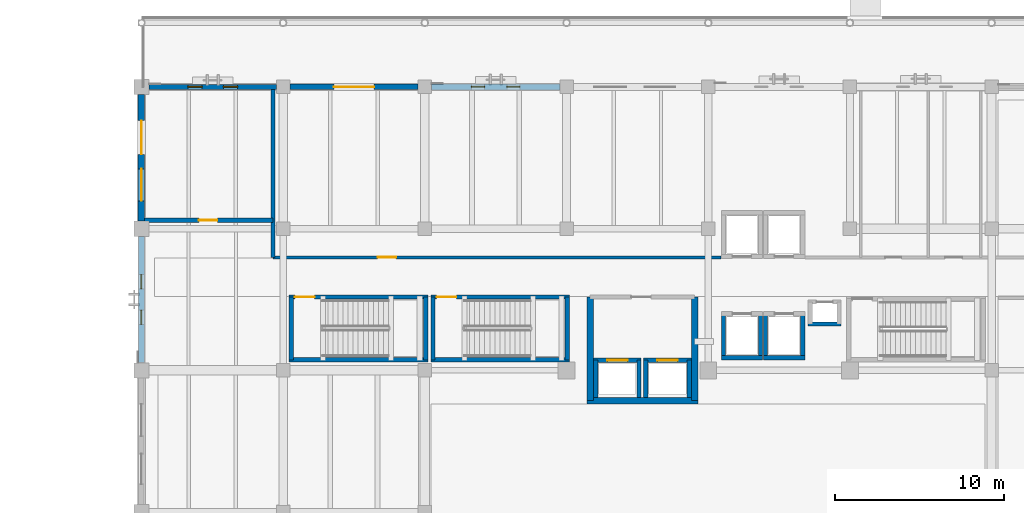
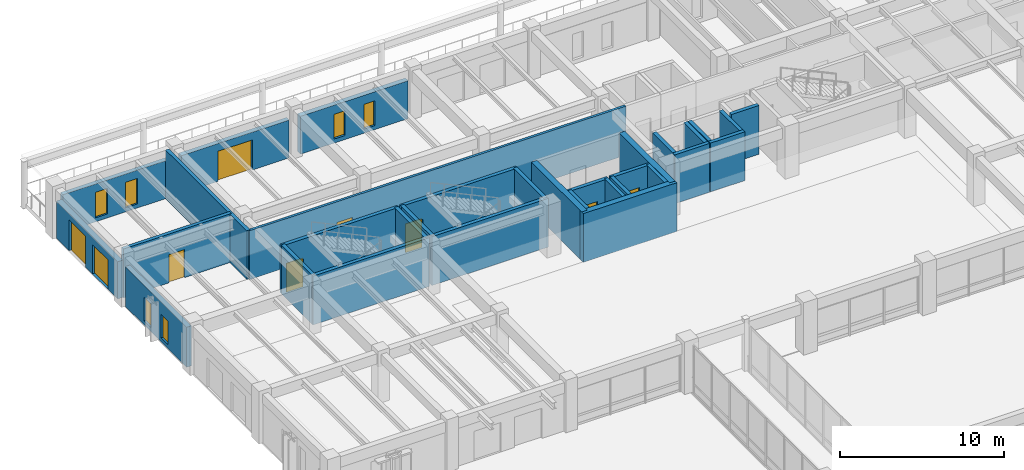
# One storey, part 90 of 135: 32 walls, 9 doors, 6 windows, 15 openings.
"""IFC4 building model written with IfcOpenShell, lengths in metres."""

from ifc_helpers import new_model, si_unit, direction, frame, frame_2d, origin, place, context, subcontext, project, spatial, rectangle, extrude, material, layer, layer_set, type_object, element, fill, save


model = new_model("IFC4")

# Units and contexts
model_context = context("Model", 3, precision=1e-05, world=origin(), true_north=direction((0.0, 1.0)))
body_context = subcontext(model_context, "Body", "Model", "MODEL_VIEW")
ifc_project = project(units=[si_unit("LENGTHUNIT", "METRE"), si_unit("AREAUNIT", "SQUARE_METRE"), si_unit("VOLUMEUNIT", "CUBIC_METRE"), si_unit("PLANEANGLEUNIT", "RADIAN"), si_unit("MASSUNIT", "GRAM", prefix="KILO")], contexts=[model_context])

# Site, building, storey
site_placement = place(None, origin())
site = spatial("IfcSite", under=ifc_project, at=site_placement, CompositionType="ELEMENT")
building_placement = place(site_placement, origin())
building = spatial("IfcBuilding", under=site, at=building_placement, Name="Cumbredor Promenade Congress Hotel", CompositionType="ELEMENT")
storey_placement = place(building_placement, origin())
storey = spatial("IfcBuildingStorey", under=building, at=storey_placement, Name="L00", CompositionType="ELEMENT", Elevation=0.0)

# Walls
ifc_material_1 = material(Name="Concrete C50/60", Category="concrete")
ifc_layer_1 = layer(ifc_material_1, 0.39990234375, Name="Concrete C50/60", Category="concrete")
ifc_layer_set_1 = layer_set([ifc_layer_1], Name="Concrete C50/60")
wall_type_1 = type_object("IfcWallType", Name="Seismic Shear Core Wall 400mm", PredefinedType="SHEAR", material=ifc_layer_set_1)
wall_1_placement = place(storey_placement, frame((26.60009765625, 99.0, 0.0), z_axis=(0.0, 0.0, 1.0), x_axis=(0.0, 1.0, 0.0)))
element("IfcWall", 1, at=wall_1_placement, inside=storey, type_object=wall_type_1, Name="L00 Hotel Core Shear Wall W1", PredefinedType="SHEAR", context=body_context, shape_type="SweptSolid", body=[
    extrude(rectangle(XDim=6.14990234375, YDim=0.39990234375, at=frame_2d((3.074951171875, 0.0))), origin(), (0.0, 0.0, 1.0), 3.639892578125),
])
wall_2_placement = place(storey_placement, frame((26.39990234375, 99.0, 0.0), z_axis=(0.0, 0.0, 1.0), x_axis=(1.0, 0.0, 0.0)))
element("IfcWall", 2, at=wall_2_placement, inside=storey, type_object=wall_type_1, Name="L00 Hotel Core Shear Wall S1", PredefinedType="SHEAR", context=body_context, shape_type="SweptSolid", body=[
    extrude(rectangle(XDim=6.60009765625, YDim=0.39990234375, at=frame_2d((3.300048828125, 0.0))), origin(), (0.0, 0.0, 1.0), 3.639892578125),
])
wall_3_placement = place(storey_placement, frame((32.800048828125, 99.0, 0.0), z_axis=(0.0, 0.0, 1.0), x_axis=(0.0, 1.0, 0.0)))
element("IfcWall", 3, at=wall_3_placement, inside=storey, type_object=wall_type_1, Name="L00 Hotel Core Shear Wall E1", PredefinedType="SHEAR", context=body_context, shape_type="SweptSolid", body=[
    extrude(rectangle(XDim=6.14990234375, YDim=0.39990234375, at=frame_2d((3.074951171875, 0.0))), origin(), (0.0, 0.0, 1.0), 3.639892578125),
])

# Wall, opening, door
ifc_material_2 = material(Name="Fire-rated hotel corridor wall")
ifc_layer_2 = layer(ifc_material_2, 0.179931640625, Name="Fire-rated hotel corridor wall")
ifc_layer_set_2 = layer_set([ifc_layer_2], Name="Fire-rated hotel corridor wall")
wall_type_2 = type_object("IfcWallType", Name="WL-CORR-180", PredefinedType="PARTITIONING", material=ifc_layer_set_2)
wall_4_placement = place(storey_placement, frame((7.800048828125, 107.5, 0.0), z_axis=(0.0, 0.0, 1.0), x_axis=(1.0, 0.0, 0.0)))
wall_4 = element("IfcWall", 4, at=wall_4_placement, inside=storey, type_object=wall_type_2, Name="L00 Interior Partition W-L00-V5-NA", PredefinedType="PARTITIONING", context=body_context, shape_type="SweptSolid", body=[
    extrude(rectangle(XDim=26.570068359375, YDim=0.179931640625, at=frame_2d((13.28515625, 0.0))), origin(), (0.0, 0.0, 1.0), 3.639892578125),
])
opening_1_placement = place(wall_4_placement, frame((6.199951171875, 0.0, 0.0)))
opening_1 = element("IfcOpeningElement", 5, at=opening_1_placement, cuts=wall_4, Name="Opening FD-04", PredefinedType="OPENING", context=body_context, shape_type="SweptSolid", body=[
    extrude(rectangle(XDim=1.10009765625, YDim=2.10009765625, at=frame_2d((0.550048828125, 1.050048828125))), frame((0.0, 0.10009765625, 0.0), z_axis=(0.0, -1.0, 0.0), x_axis=(1.0, 0.0, 0.0)), (0.0, 0.0, 1.0), 0.199951171875),
])
ifc_material_3 = material(Name="Painted galvanized steel fire door", Category="steel")
door_type_1 = type_object("IfcDoorType", Name="DR-SGL-FD60-1100", OperationType="NOTDEFINED", PredefinedType="DOOR", material=ifc_material_3)
door_1_placement = place(opening_1_placement, origin())
door_1 = element("IfcDoor", 6, at=door_1_placement, inside=storey, type_object=door_type_1, Name="L00 Interior Door W-L00-V5-NA-01", OperationType="SINGLE_SWING_RIGHT", OverallHeight=2.10009765625, OverallWidth=1.10009765625, PredefinedType="DOOR", context=body_context, shape_type="SweptSolid", body=[
    extrude(rectangle(XDim=1.10009765625, YDim=2.10009765625, at=frame_2d((0.550048828125, 1.050048828125))), frame((0.0, 0.02490234375, 0.0), z_axis=(0.0, -1.0, 0.0), x_axis=(1.0, 0.0, 0.0)), (0.0, 0.0, 1.0), 0.050048828125),
])
fill(opening_1, door_1)

# Wall, openings, windows
ifc_material_4 = material(Name="Concrete C40/50", Category="concrete")
ifc_layer_3 = layer(ifc_material_4, 0.300048828125, Name="Concrete C40/50", Category="concrete")
ifc_layer_set_3 = layer_set([ifc_layer_3], Name="Concrete C40/50")
wall_type_3 = type_object("IfcWallType", Name="WL-EXT-300", PredefinedType="SOLIDWALL", material=ifc_layer_set_3)
wall_5_placement = place(storey_placement, frame((0.450927734375, 117.60009765625, 0.0), z_axis=(0.0, 0.0, 1.0), x_axis=(1.0, 0.0, 0.0)))
wall_5 = element("IfcWall", 7, at=wall_5_placement, inside=storey, type_object=wall_type_3, Name="L00 Stepped Congress Hotel Wing North Envelope Wall 1", PredefinedType="SOLIDWALL", context=body_context, shape_type="SweptSolid", body=[
    extrude(rectangle(XDim=7.548095703125, YDim=0.300048828125, at=frame_2d((3.77392578125, 0.0))), origin(), (0.0, 0.0, 1.0), 2.824951171875),
])
opening_2_placement = place(wall_5_placement, frame((2.299072265625, 0.0, 0.300048828125)))
opening_2 = element("IfcOpeningElement", 8, at=opening_2_placement, cuts=wall_5, Name="Opening WN-67", PredefinedType="OPENING", context=body_context, shape_type="SweptSolid", body=[
    extrude(rectangle(XDim=0.85009765625, YDim=1.89990234375, at=frame_2d((0.425048828125, 0.949951171875))), frame((0.0, 0.16015625, 0.0), z_axis=(0.0, -1.0, 0.0), x_axis=(1.0, 0.0, 0.0)), (0.0, 0.0, 1.0), 0.320068359375),
])
opening_3_placement = place(wall_5_placement, frame((4.39892578125, 0.0, 0.300048828125)))
opening_3 = element("IfcOpeningElement", 9, at=opening_3_placement, cuts=wall_5, Name="Opening WN-67", PredefinedType="OPENING", context=body_context, shape_type="SweptSolid", body=[
    extrude(rectangle(XDim=0.85009765625, YDim=1.89990234375, at=frame_2d((0.425048828125, 0.949951171875))), frame((0.0, 0.16015625, 0.0), z_axis=(0.0, -1.0, 0.0), x_axis=(1.0, 0.0, 0.0)), (0.0, 0.0, 1.0), 0.320068359375),
])
ifc_material_5 = material(Name="Thermally broken anodized aluminium and low-E glass", Category="aluminium")
window_type_1 = type_object("IfcWindowType", Name="Vertical Slot Window WN-67 850x1900", PartitioningType="SINGLE_PANEL", PredefinedType="WINDOW", material=ifc_material_5)
window_1_placement = place(opening_2_placement, origin())
window_1 = element("IfcWindow", 10, at=window_1_placement, inside=storey, type_object=window_type_1, Name="L00 Vertical Slot Window 0073", OverallHeight=1.89990234375, OverallWidth=0.85009765625, PartitioningType="SINGLE_PANEL", PredefinedType="WINDOW", context=body_context, shape_type="SweptSolid", body=[
    extrude(rectangle(XDim=0.85009765625, YDim=1.89990234375, at=frame_2d((0.425048828125, 0.949951171875))), frame((0.0, 0.030029296875, 0.0), z_axis=(0.0, -1.0, 0.0), x_axis=(1.0, 0.0, 0.0)), (0.0, 0.0, 1.0), 0.06005859375),
])
fill(opening_2, window_1)
window_2_placement = place(opening_3_placement, origin())
window_2 = element("IfcWindow", 11, at=window_2_placement, inside=storey, type_object=window_type_1, Name="L00 Vertical Slot Window 0074", OverallHeight=1.89990234375, OverallWidth=0.85009765625, PartitioningType="SINGLE_PANEL", PredefinedType="WINDOW", context=body_context, shape_type="SweptSolid", body=[
    extrude(rectangle(XDim=0.85009765625, YDim=1.89990234375, at=frame_2d((0.425048828125, 0.949951171875))), frame((0.0, 0.030029296875, 0.0), z_axis=(0.0, -1.0, 0.0), x_axis=(1.0, 0.0, 0.0)), (0.0, 0.0, 1.0), 0.06005859375),
])
fill(opening_3, window_2)

# Wall, opening, door
ifc_layer_4 = layer(ifc_material_4, 0.324951171875, Name="Concrete C40/50", Category="concrete")
ifc_layer_set_4 = layer_set([ifc_layer_4], Name="Concrete C40/50")
wall_type_4 = type_object("IfcWallType", Name="WL-EXT-325", PredefinedType="SOLIDWALL", material=ifc_layer_set_4)
wall_6_placement = place(storey_placement, frame((8.801025390625, 117.60009765625, 0.0), z_axis=(0.0, 0.0, 1.0), x_axis=(1.0, 0.0, 0.0)))
wall_6 = element("IfcWall", 12, at=wall_6_placement, inside=storey, type_object=wall_type_4, Name="L00 Stepped Congress Hotel Wing North Envelope Wall 2", PredefinedType="SOLIDWALL", context=body_context, shape_type="SweptSolid", body=[
    extrude(rectangle(XDim=7.597900390625, YDim=0.324951171875, at=frame_2d((3.798828125, 0.0))), origin(), (0.0, 0.0, 1.0), 2.824951171875),
])
opening_4_placement = place(wall_6_placement, frame((2.59912109375, 0.0, 0.0)))
opening_4 = element("IfcOpeningElement", 13, at=opening_4_placement, cuts=wall_6, Name="Opening VG-05", PredefinedType="OPENING", context=body_context, shape_type="SweptSolid", body=[
    extrude(rectangle(XDim=2.39990234375, YDim=2.25, at=frame_2d((1.199951171875, 1.125))), frame((0.0, 0.17236328125, 0.0), z_axis=(0.0, -1.0, 0.0), x_axis=(1.0, 0.0, 0.0)), (0.0, 0.0, 1.0), 0.344970703125),
])
ifc_material_6 = material(Name="Thermally broken anodized aluminium and laminated safety glass", Category="aluminium")
door_type_2 = type_object("IfcDoorType", Name="Garden Maintenance Gate VG-05 2400x2250", OperationType="DOUBLE_DOOR_SINGLE_SWING", PredefinedType="GATE", material=ifc_material_6)
door_2_placement = place(opening_4_placement, origin())
door_2 = element("IfcDoor", 14, at=door_2_placement, inside=storey, type_object=door_type_2, Name="L00 Stepped Congress Hotel Wing North Final Exit Door 26", OperationType="DOUBLE_DOOR_SINGLE_SWING", OverallHeight=2.25, OverallWidth=2.39990234375, PredefinedType="GATE", context=body_context, shape_type="SweptSolid", body=[
    extrude(rectangle(XDim=2.39990234375, YDim=2.25, at=frame_2d((1.199951171875, 1.125))), frame((0.0, 0.02490234375, 0.0), z_axis=(0.0, -1.0, 0.0), x_axis=(1.0, 0.0, 0.0)), (0.0, 0.0, 1.0), 0.050048828125),
])
fill(opening_4, door_2)

# Wall, openings, windows
ifc_layer_5 = layer(ifc_material_4, 0.35009765625, Name="Concrete C40/50", Category="concrete")
ifc_layer_set_5 = layer_set([ifc_layer_5], Name="Concrete C40/50")
wall_type_5 = type_object("IfcWallType", Name="WL-EXT-350", PredefinedType="SOLIDWALL", material=ifc_layer_set_5)
wall_7_placement = place(storey_placement, frame((17.200927734375, 117.60009765625, 0.0), z_axis=(0.0, 0.0, 1.0), x_axis=(1.0, 0.0, 0.0)))
wall_7 = element("IfcWall", 15, at=wall_7_placement, inside=storey, type_object=wall_type_5, Name="L00 Stepped Congress Hotel Wing North Envelope Wall 3", PredefinedType="SOLIDWALL", context=body_context, shape_type="SweptSolid", body=[
    extrude(rectangle(XDim=7.59814453125, YDim=0.35009765625, at=frame_2d((3.799072265625, 0.0))), origin(), (0.0, 0.0, 1.0), 2.824951171875),
])
opening_5_placement = place(wall_7_placement, frame((2.35888671875, 0.0, 0.300048828125)))
opening_5 = element("IfcOpeningElement", 16, at=opening_5_placement, cuts=wall_7, Name="Opening WN-46", PredefinedType="OPENING", context=body_context, shape_type="SweptSolid", body=[
    extrude(rectangle(XDim=0.780029296875, YDim=1.85009765625, at=frame_2d((0.39013671875, 0.925048828125))), frame((0.0, 0.18505859375, 0.0), z_axis=(0.0, -1.0, 0.0), x_axis=(1.0, 0.0, 0.0)), (0.0, 0.0, 1.0), 0.3701171875),
])
opening_6_placement = place(wall_7_placement, frame((4.458984375, 0.0, 0.300048828125)))
opening_6 = element("IfcOpeningElement", 17, at=opening_6_placement, cuts=wall_7, Name="Opening WN-46", PredefinedType="OPENING", context=body_context, shape_type="SweptSolid", body=[
    extrude(rectangle(XDim=0.780029296875, YDim=1.85009765625, at=frame_2d((0.39013671875, 0.925048828125))), frame((0.0, 0.18505859375, 0.0), z_axis=(0.0, -1.0, 0.0), x_axis=(1.0, 0.0, 0.0)), (0.0, 0.0, 1.0), 0.3701171875),
])
window_type_2 = type_object("IfcWindowType", Name="Vertical Slot Window WN-46 780x1850", PartitioningType="SINGLE_PANEL", PredefinedType="WINDOW", material=ifc_material_5)
window_3_placement = place(opening_5_placement, origin())
window_3 = element("IfcWindow", 18, at=window_3_placement, inside=storey, type_object=window_type_2, Name="L00 Vertical Slot Window 0075", OverallHeight=1.85009765625, OverallWidth=0.780029296875, PartitioningType="SINGLE_PANEL", PredefinedType="WINDOW", context=body_context, shape_type="SweptSolid", body=[
    extrude(rectangle(XDim=0.780029296875, YDim=1.85009765625, at=frame_2d((0.39013671875, 0.925048828125))), frame((0.0, 0.030029296875, 0.0), z_axis=(0.0, -1.0, 0.0), x_axis=(1.0, 0.0, 0.0)), (0.0, 0.0, 1.0), 0.06005859375),
])
fill(opening_5, window_3)
window_4_placement = place(opening_6_placement, origin())
window_4 = element("IfcWindow", 19, at=window_4_placement, inside=storey, type_object=window_type_2, Name="L00 Vertical Slot Window 0076", OverallHeight=1.85009765625, OverallWidth=0.780029296875, PartitioningType="SINGLE_PANEL", PredefinedType="WINDOW", context=body_context, shape_type="SweptSolid", body=[
    extrude(rectangle(XDim=0.780029296875, YDim=1.85009765625, at=frame_2d((0.39013671875, 0.925048828125))), frame((0.0, 0.030029296875, 0.0), z_axis=(0.0, -1.0, 0.0), x_axis=(1.0, 0.0, 0.0)), (0.0, 0.0, 1.0), 0.06005859375),
])
fill(opening_6, window_4)

wall_8_placement = place(storey_placement, frame((0.0, 101.2509765625, 0.0), z_axis=(0.0, 0.0, 1.0), x_axis=(0.0, 1.0, 0.0)))
wall_8 = element("IfcWall", 20, at=wall_8_placement, inside=storey, type_object=wall_type_5, Name="L00 Stepped Congress Hotel Wing West Envelope Wall 3", PredefinedType="SOLIDWALL", context=body_context, shape_type="SweptSolid", body=[
    extrude(rectangle(XDim=7.498046875, YDim=0.35009765625, at=frame_2d((3.7490234375, 0.0))), origin(), (0.0, 0.0, 1.0), 2.97509765625),
])
opening_7_placement = place(wall_8_placement, frame((2.279052734375, 0.0, 0.300048828125)))
opening_7 = element("IfcOpeningElement", 21, at=opening_7_placement, cuts=wall_8, Name="Opening WN-62", PredefinedType="OPENING", context=body_context, shape_type="SweptSolid", body=[
    extrude(rectangle(XDim=0.840087890625, YDim=1.75, at=frame_2d((0.419921875, 0.875))), frame((0.0, 0.18505859375, 0.0), z_axis=(0.0, -1.0, 0.0), x_axis=(1.0, 0.0, 0.0)), (0.0, 0.0, 1.0), 0.3701171875),
])
opening_8_placement = place(wall_8_placement, frame((4.37890625, 0.0, 0.300048828125)))
opening_8 = element("IfcOpeningElement", 22, at=opening_8_placement, cuts=wall_8, Name="Opening WN-62", PredefinedType="OPENING", context=body_context, shape_type="SweptSolid", body=[
    extrude(rectangle(XDim=0.840087890625, YDim=1.75, at=frame_2d((0.419921875, 0.875))), frame((0.0, 0.18505859375, 0.0), z_axis=(0.0, -1.0, 0.0), x_axis=(1.0, 0.0, 0.0)), (0.0, 0.0, 1.0), 0.3701171875),
])
window_type_3 = type_object("IfcWindowType", Name="Vertical Slot Window WN-62 840x1750", PartitioningType="SINGLE_PANEL", PredefinedType="WINDOW", material=ifc_material_5)
window_5_placement = place(opening_7_placement, origin())
window_5 = element("IfcWindow", 23, at=window_5_placement, inside=storey, type_object=window_type_3, Name="L00 Vertical Slot Window 0091", OverallHeight=1.75, OverallWidth=0.840087890625, PartitioningType="SINGLE_PANEL", PredefinedType="WINDOW", context=body_context, shape_type="SweptSolid", body=[
    extrude(rectangle(XDim=0.840087890625, YDim=1.75, at=frame_2d((0.419921875, 0.875))), frame((0.0, 0.030029296875, 0.0), z_axis=(0.0, -1.0, 0.0), x_axis=(1.0, 0.0, 0.0)), (0.0, 0.0, 1.0), 0.06005859375),
])
fill(opening_7, window_5)
window_6_placement = place(opening_8_placement, origin())
window_6 = element("IfcWindow", 24, at=window_6_placement, inside=storey, type_object=window_type_3, Name="L00 Vertical Slot Window 0092", OverallHeight=1.75, OverallWidth=0.840087890625, PartitioningType="SINGLE_PANEL", PredefinedType="WINDOW", context=body_context, shape_type="SweptSolid", body=[
    extrude(rectangle(XDim=0.840087890625, YDim=1.75, at=frame_2d((0.419921875, 0.875))), frame((0.0, 0.030029296875, 0.0), z_axis=(0.0, -1.0, 0.0), x_axis=(1.0, 0.0, 0.0)), (0.0, 0.0, 1.0), 0.06005859375),
])
fill(opening_8, window_6)

# Wall, openings, doors
ifc_layer_6 = layer(ifc_material_4, 0.3798828125, Name="Concrete C40/50", Category="concrete")
ifc_layer_set_6 = layer_set([ifc_layer_6], Name="Concrete C40/50")
wall_type_6 = type_object("IfcWallType", Name="WL-EXT-380", PredefinedType="SOLIDWALL", material=ifc_layer_set_6)
wall_9_placement = place(storey_placement, frame((0.0, 109.65087890625, 0.0), z_axis=(0.0, 0.0, 1.0), x_axis=(0.0, 1.0, 0.0)))
wall_9 = element("IfcWall", 25, at=wall_9_placement, inside=storey, type_object=wall_type_6, Name="L00 Stepped Congress Hotel Wing West Envelope Wall 4", PredefinedType="SOLIDWALL", context=body_context, shape_type="SweptSolid", body=[
    extrude(rectangle(XDim=7.498046875, YDim=0.3798828125, at=frame_2d((3.7490234375, 0.0))), origin(), (0.0, 0.0, 1.0), 2.77490234375),
])
opening_9_placement = place(wall_9_placement, frame((1.198974609375, 0.0, 0.0)))
opening_9 = element("IfcOpeningElement", 26, at=opening_9_placement, cuts=wall_9, Name="Opening EX-02", PredefinedType="OPENING", context=body_context, shape_type="SweptSolid", body=[
    extrude(rectangle(XDim=1.89990234375, YDim=2.199951171875, at=frame_2d((0.949951171875, 1.10009765625))), frame((0.0, 0.199951171875, 0.0), z_axis=(0.0, -1.0, 0.0), x_axis=(1.0, 0.0, 0.0)), (0.0, 0.0, 1.0), 0.39990234375),
])
opening_10_placement = place(wall_9_placement, frame((3.947998046875, 0.0, 0.0)))
opening_10 = element("IfcOpeningElement", 27, at=opening_10_placement, cuts=wall_9, Name="Opening EX-03", PredefinedType="OPENING", context=body_context, shape_type="SweptSolid", body=[
    extrude(rectangle(XDim=2.0, YDim=2.300048828125, at=frame_2d((1.0, 1.14990234375))), frame((0.0, 0.199951171875, 0.0), z_axis=(0.0, -1.0, 0.0), x_axis=(1.0, 0.0, 0.0)), (0.0, 0.0, 1.0), 0.39990234375),
])
door_type_3 = type_object("IfcDoorType", Name="EXT-DR-EXIT-1900x2200", OperationType="DOUBLE_DOOR_SINGLE_SWING", PredefinedType="DOOR", material=ifc_material_6)
door_3_placement = place(opening_9_placement, origin())
door_3 = element("IfcDoor", 28, at=door_3_placement, inside=storey, type_object=door_type_3, Name="L00 Stepped Congress Hotel Wing West Final Exit Door 29.1", OperationType="DOUBLE_DOOR_SINGLE_SWING", OverallHeight=2.199951171875, OverallWidth=1.89990234375, PredefinedType="DOOR", context=body_context, shape_type="SweptSolid", body=[
    extrude(rectangle(XDim=1.89990234375, YDim=2.199951171875, at=frame_2d((0.949951171875, 1.10009765625))), frame((0.0, 0.02490234375, 0.0), z_axis=(0.0, -1.0, 0.0), x_axis=(1.0, 0.0, 0.0)), (0.0, 0.0, 1.0), 0.050048828125),
])
fill(opening_9, door_3)
door_type_4 = type_object("IfcDoorType", Name="EXT-DR-EXIT-2000x2300", OperationType="DOUBLE_DOOR_SINGLE_SWING", PredefinedType="DOOR", material=ifc_material_6)
door_4_placement = place(opening_10_placement, origin())
door_4 = element("IfcDoor", 29, at=door_4_placement, inside=storey, type_object=door_type_4, Name="L00 Stepped Congress Hotel Wing West Final Exit Door 29.2", OperationType="DOUBLE_DOOR_SINGLE_SWING", OverallHeight=2.300048828125, OverallWidth=2.0, PredefinedType="DOOR", context=body_context, shape_type="SweptSolid", body=[
    extrude(rectangle(XDim=2.0, YDim=2.300048828125, at=frame_2d((1.0, 1.14990234375))), frame((0.0, 0.02490234375, 0.0), z_axis=(0.0, -1.0, 0.0), x_axis=(1.0, 0.0, 0.0)), (0.0, 0.0, 1.0), 0.050048828125),
])
fill(opening_10, door_4)

# Wall, opening, door
ifc_layer_7 = layer(ifc_material_4, 0.239990234375, Name="Concrete C40/50", Category="concrete")
ifc_layer_set_7 = layer_set([ifc_layer_7], Name="Concrete C40/50")
wall_type_7 = type_object("IfcWallType", Name="WL-FFL-240", PredefinedType="SOLIDWALL", material=ifc_layer_set_7)
wall_10_placement = place(storey_placement, frame((0.18994140625, 109.699951171875, 0.0), z_axis=(0.0, 0.0, 1.0), x_axis=(1.0, 0.0, 0.0)))
wall_10 = element("IfcWall", 30, at=wall_10_placement, inside=storey, type_object=wall_type_7, Name="L00 Interior Partition W-L00-V5-FCC", PredefinedType="SOLIDWALL", context=body_context, shape_type="SweptSolid", body=[
    extrude(rectangle(XDim=7.610107421875, YDim=0.239990234375, at=frame_2d((3.80517578125, 0.0))), origin(), (0.0, 0.0, 1.0), 3.639892578125),
])
opening_11_placement = place(wall_10_placement, frame((3.2099609375, 0.0, 0.0)))
opening_11 = element("IfcOpeningElement", 31, at=opening_11_placement, cuts=wall_10, Name="Opening FD-04", PredefinedType="OPENING", context=body_context, shape_type="SweptSolid", body=[
    extrude(rectangle(XDim=1.10009765625, YDim=2.10009765625, at=frame_2d((0.550048828125, 1.050048828125))), frame((0.0, 0.1298828125, 0.0), z_axis=(0.0, -1.0, 0.0), x_axis=(1.0, 0.0, 0.0)), (0.0, 0.0, 1.0), 0.260009765625),
])
door_5_placement = place(opening_11_placement, origin())
door_5 = element("IfcDoor", 32, at=door_5_placement, inside=storey, type_object=door_type_1, Name="L00 Interior Door W-L00-V5-FCC-01", OperationType="SINGLE_SWING_LEFT", OverallHeight=2.10009765625, OverallWidth=1.10009765625, PredefinedType="DOOR", context=body_context, shape_type="SweptSolid", body=[
    extrude(rectangle(XDim=1.10009765625, YDim=2.10009765625, at=frame_2d((0.550048828125, 1.050048828125))), frame((0.0, 0.02490234375, 0.0), z_axis=(0.0, -1.0, 0.0), x_axis=(1.0, 0.0, 0.0)), (0.0, 0.0, 1.0), 0.050048828125),
])
fill(opening_11, door_5)

# Walls
wall_11_placement = place(storey_placement, frame((7.800048828125, 107.5, 0.0), z_axis=(0.0, 0.0, 1.0), x_axis=(0.0, 1.0, 0.0)))
element("IfcWall", 33, at=wall_11_placement, inside=storey, type_object=wall_type_7, Name="L00 Interior Partition W-L00-V5-FCC-E", PredefinedType="SOLIDWALL", context=body_context, shape_type="SweptSolid", body=[
    extrude(rectangle(XDim=9.949951171875, YDim=0.239990234375, at=frame_2d((4.97509765625, 0.0))), origin(), (0.0, 0.0, 1.0), 3.639892578125),
])
ifc_layer_8 = layer(ifc_material_4, 0.2548828125, Name="Concrete C40/50", Category="concrete")
ifc_layer_set_8 = layer_set([ifc_layer_8], Name="Concrete C40/50")
wall_type_8 = type_object("IfcWallType", Name="WL-SHAFT-250", PredefinedType="SOLIDWALL", material=ifc_layer_set_8)
wall_12_placement = place(storey_placement, frame((8.75244140625, 101.419921875, 0.0), z_axis=(0.0, 0.0, 1.0), x_axis=(1.0, 0.0, 0.0)))
element("IfcWall", 34, at=wall_12_placement, inside=storey, type_object=wall_type_8, Name="STAIR-ST-01-L00 Shaft Wall South", PredefinedType="SOLIDWALL", context=body_context, shape_type="SweptSolid", body=[
    extrude(rectangle(XDim=8.22509765625, YDim=0.2548828125, at=frame_2d((4.112548828125, 0.0))), origin(), (0.0, 0.0, 1.0), 3.639892578125),
])

# Wall, opening, door
wall_13_placement = place(storey_placement, frame((8.75244140625, 105.14990234375, 0.0), z_axis=(0.0, 0.0, 1.0), x_axis=(1.0, 0.0, 0.0)))
wall_13 = element("IfcWall", 35, at=wall_13_placement, inside=storey, type_object=wall_type_8, Name="STAIR-ST-01-L00 Shaft Wall North", PredefinedType="SOLIDWALL", context=body_context, shape_type="SweptSolid", body=[
    extrude(rectangle(XDim=8.22509765625, YDim=0.2548828125, at=frame_2d((4.112548828125, 0.0))), origin(), (0.0, 0.0, 1.0), 3.639892578125),
])
opening_12_placement = place(wall_13_placement, frame((0.35009765625, 0.0, 0.0)))
opening_12 = element("IfcOpeningElement", 36, at=opening_12_placement, cuts=wall_13, Name="Opening SD-01", PredefinedType="OPENING", context=body_context, shape_type="SweptSolid", body=[
    extrude(rectangle(XDim=1.159912109375, YDim=2.14990234375, at=frame_2d((0.580078125, 1.074951171875))), frame((0.0, 0.137451171875, 0.0), z_axis=(0.0, -1.0, 0.0), x_axis=(1.0, 0.0, 0.0)), (0.0, 0.0, 1.0), 0.27490234375),
])
door_type_5 = type_object("IfcDoorType", Name="DR-STAIR-FD90-1150", OperationType="NOTDEFINED", PredefinedType="DOOR", material=ifc_material_3)
door_6_placement = place(opening_12_placement, origin())
door_6 = element("IfcDoor", 37, at=door_6_placement, inside=storey, type_object=door_type_5, Name="L00 Protected Exit Stair ST-01 Door", OperationType="SINGLE_SWING_RIGHT", OverallHeight=2.14990234375, OverallWidth=1.159912109375, PredefinedType="DOOR", context=body_context, shape_type="SweptSolid", body=[
    extrude(rectangle(XDim=1.159912109375, YDim=2.14990234375, at=frame_2d((0.580078125, 1.074951171875))), frame((0.0, 0.02490234375, 0.0), z_axis=(0.0, -1.0, 0.0), x_axis=(1.0, 0.0, 0.0)), (0.0, 0.0, 1.0), 0.050048828125),
])
fill(opening_12, door_6)

# Walls
for number, where, z_axis, x_axis, name in (
    (38, (8.8798828125, 101.419921875, 0.0), (0.0, 0.0, 1.0), (0.0, 1.0, 0.0), "STAIR-ST-01-L00 Shaft Wall West"),
    (39, (16.85009765625, 101.419921875, 0.0), (0.0, 0.0, 1.0), (0.0, 1.0, 0.0), "STAIR-ST-01-L00 Shaft Wall East"),
):
    element("IfcWall", number, at=place(storey_placement, frame(where, z_axis=z_axis, x_axis=x_axis)), inside=storey, type_object=wall_type_8, Name=name, PredefinedType="SOLIDWALL", context=body_context, shape_type="SweptSolid", body=[
        extrude(rectangle(XDim=3.72998046875, YDim=0.2548828125, at=frame_2d((1.864990234375, 0.0))), origin(), (0.0, 0.0, 1.0), 3.639892578125),
    ])
wall_14_placement = place(storey_placement, frame((17.152587890625, 101.419921875, 0.0), z_axis=(0.0, 0.0, 1.0), x_axis=(1.0, 0.0, 0.0)))
element("IfcWall", 40, at=wall_14_placement, inside=storey, type_object=wall_type_8, Name="STAIR-ST-02-L00 Shaft Wall South", PredefinedType="SOLIDWALL", context=body_context, shape_type="SweptSolid", body=[
    extrude(rectangle(XDim=8.224853515625, YDim=0.2548828125, at=frame_2d((4.1123046875, 0.0))), origin(), (0.0, 0.0, 1.0), 3.639892578125),
])

# Wall, opening, door
wall_15_placement = place(storey_placement, frame((17.152587890625, 105.14990234375, 0.0), z_axis=(0.0, 0.0, 1.0), x_axis=(1.0, 0.0, 0.0)))
wall_15 = element("IfcWall", 41, at=wall_15_placement, inside=storey, type_object=wall_type_8, Name="STAIR-ST-02-L00 Shaft Wall North", PredefinedType="SOLIDWALL", context=body_context, shape_type="SweptSolid", body=[
    extrude(rectangle(XDim=8.224853515625, YDim=0.2548828125, at=frame_2d((4.1123046875, 0.0))), origin(), (0.0, 0.0, 1.0), 3.639892578125),
])
opening_13_placement = place(wall_15_placement, frame((0.35009765625, 0.0, 0.0)))
opening_13 = element("IfcOpeningElement", 42, at=opening_13_placement, cuts=wall_15, Name="Opening SD-01", PredefinedType="OPENING", context=body_context, shape_type="SweptSolid", body=[
    extrude(rectangle(XDim=1.159912109375, YDim=2.14990234375, at=frame_2d((0.580078125, 1.074951171875))), frame((0.0, 0.137451171875, 0.0), z_axis=(0.0, -1.0, 0.0), x_axis=(1.0, 0.0, 0.0)), (0.0, 0.0, 1.0), 0.27490234375),
])
door_7_placement = place(opening_13_placement, origin())
door_7 = element("IfcDoor", 43, at=door_7_placement, inside=storey, type_object=door_type_5, Name="L00 Protected Exit Stair ST-02 Door", OperationType="SINGLE_SWING_LEFT", OverallHeight=2.14990234375, OverallWidth=1.159912109375, PredefinedType="DOOR", context=body_context, shape_type="SweptSolid", body=[
    extrude(rectangle(XDim=1.159912109375, YDim=2.14990234375, at=frame_2d((0.580078125, 1.074951171875))), frame((0.0, 0.02490234375, 0.0), z_axis=(0.0, -1.0, 0.0), x_axis=(1.0, 0.0, 0.0)), (0.0, 0.0, 1.0), 0.050048828125),
])
fill(opening_13, door_7)

# Walls
for number, where, z_axis, x_axis, name in (
    (44, (17.280029296875, 101.419921875, 0.0), (0.0, 0.0, 1.0), (0.0, 1.0, 0.0), "STAIR-ST-02-L00 Shaft Wall West"),
    (45, (25.25, 101.419921875, 0.0), (0.0, 0.0, 1.0), (0.0, 1.0, 0.0), "STAIR-ST-02-L00 Shaft Wall East"),
):
    element("IfcWall", number, at=place(storey_placement, frame(where, z_axis=z_axis, x_axis=x_axis)), inside=storey, type_object=wall_type_8, Name=name, PredefinedType="SOLIDWALL", context=body_context, shape_type="SweptSolid", body=[
        extrude(rectangle(XDim=3.72998046875, YDim=0.2548828125, at=frame_2d((1.864990234375, 0.0))), origin(), (0.0, 0.0, 1.0), 3.639892578125),
    ])

# Wall, opening, door
wall_16_placement = place(storey_placement, frame((26.802490234375, 101.39990234375, 0.0), z_axis=(0.0, 0.0, 1.0), x_axis=(1.0, 0.0, 0.0)))
wall_16 = element("IfcWall", 46, at=wall_16_placement, inside=storey, type_object=wall_type_8, Name="SHAFT-FF-01-L00 Shaft Wall North", PredefinedType="SOLIDWALL", context=body_context, shape_type="SweptSolid", body=[
    extrude(rectangle(XDim=2.824951171875, YDim=0.2548828125, at=frame_2d((1.41259765625, 0.0))), origin(), (0.0, 0.0, 1.0), 3.639892578125),
])
opening_14_placement = place(wall_16_placement, frame((0.8125, 0.0, 0.0)))
opening_14 = element("IfcOpeningElement", 47, at=opening_14_placement, cuts=wall_16, Name="Opening LD-02", PredefinedType="OPENING", context=body_context, shape_type="SweptSolid", body=[
    extrude(rectangle(XDim=1.199951171875, YDim=2.199951171875, at=frame_2d((0.60009765625, 1.10009765625))), frame((0.0, 0.137451171875, 0.0), z_axis=(0.0, -1.0, 0.0), x_axis=(1.0, 0.0, 0.0)), (0.0, 0.0, 1.0), 0.27490234375),
])
ifc_material_7 = material(Name="Brushed stainless steel", Category="steel")
door_type_6 = type_object("IfcDoorType", Name="Firefighting Lift Sliding Door LD-02 1200x2200", OperationType="DOUBLE_DOOR_SLIDING", PredefinedType="DOOR", material=ifc_material_7)
door_8_placement = place(opening_14_placement, origin())
door_8 = element("IfcDoor", 48, at=door_8_placement, inside=storey, type_object=door_type_6, Name="L00 Firefighting Lift FF-01 Sliding Landing Door", OperationType="DOUBLE_DOOR_SLIDING", OverallHeight=2.199951171875, OverallWidth=1.199951171875, PredefinedType="DOOR", context=body_context, shape_type="SweptSolid", body=[
    extrude(rectangle(XDim=1.199951171875, YDim=2.199951171875, at=frame_2d((0.60009765625, 1.10009765625))), frame((0.0, 0.02490234375, 0.0), z_axis=(0.0, -1.0, 0.0), x_axis=(1.0, 0.0, 0.0)), (0.0, 0.0, 1.0), 0.050048828125),
])
fill(opening_14, door_8)

# Walls
for number, where, z_axis, x_axis, name in (
    (49, (26.929931640625, 99.199951171875, 0.0), (0.0, 0.0, 1.0), (0.0, 1.0, 0.0), "SHAFT-FF-01-L00 Shaft Wall West"),
    (50, (29.5, 99.199951171875, 0.0), (0.0, 0.0, 1.0), (0.0, 1.0, 0.0), "SHAFT-FF-01-L00 Shaft Wall East"),
):
    element("IfcWall", number, at=place(storey_placement, frame(where, z_axis=z_axis, x_axis=x_axis)), inside=storey, type_object=wall_type_8, Name=name, PredefinedType="SOLIDWALL", context=body_context, shape_type="SweptSolid", body=[
        extrude(rectangle(XDim=2.199951171875, YDim=0.2548828125, at=frame_2d((1.10009765625, 0.0))), origin(), (0.0, 0.0, 1.0), 3.639892578125),
    ])

# Wall, opening, door
wall_17_placement = place(storey_placement, frame((29.7724609375, 101.39990234375, 0.0), z_axis=(0.0, 0.0, 1.0), x_axis=(1.0, 0.0, 0.0)))
wall_17 = element("IfcWall", 51, at=wall_17_placement, inside=storey, type_object=wall_type_8, Name="SHAFT-FF-02-L00 Shaft Wall North", PredefinedType="SOLIDWALL", context=body_context, shape_type="SweptSolid", body=[
    extrude(rectangle(XDim=2.824951171875, YDim=0.2548828125, at=frame_2d((1.41259765625, 0.0))), origin(), (0.0, 0.0, 1.0), 3.639892578125),
])
opening_15_placement = place(wall_17_placement, frame((0.8125, 0.0, 0.0)))
opening_15 = element("IfcOpeningElement", 52, at=opening_15_placement, cuts=wall_17, Name="Opening LD-02", PredefinedType="OPENING", context=body_context, shape_type="SweptSolid", body=[
    extrude(rectangle(XDim=1.199951171875, YDim=2.199951171875, at=frame_2d((0.60009765625, 1.10009765625))), frame((0.0, 0.137451171875, 0.0), z_axis=(0.0, -1.0, 0.0), x_axis=(1.0, 0.0, 0.0)), (0.0, 0.0, 1.0), 0.27490234375),
])
door_9_placement = place(opening_15_placement, origin())
door_9 = element("IfcDoor", 53, at=door_9_placement, inside=storey, type_object=door_type_6, Name="L00 Firefighting Lift FF-02 Sliding Landing Door", OperationType="DOUBLE_DOOR_SLIDING", OverallHeight=2.199951171875, OverallWidth=1.199951171875, PredefinedType="DOOR", context=body_context, shape_type="SweptSolid", body=[
    extrude(rectangle(XDim=1.199951171875, YDim=2.199951171875, at=frame_2d((0.60009765625, 1.10009765625))), frame((0.0, 0.02490234375, 0.0), z_axis=(0.0, -1.0, 0.0), x_axis=(1.0, 0.0, 0.0)), (0.0, 0.0, 1.0), 0.050048828125),
])
fill(opening_15, door_9)

# Walls
for number, where, z_axis, x_axis, name in (
    (54, (29.89990234375, 99.199951171875, 0.0), (0.0, 0.0, 1.0), (0.0, 1.0, 0.0), "SHAFT-FF-02-L00 Shaft Wall West"),
    (55, (32.469970703125, 99.199951171875, 0.0), (0.0, 0.0, 1.0), (0.0, 1.0, 0.0), "SHAFT-FF-02-L00 Shaft Wall East"),
):
    element("IfcWall", number, at=place(storey_placement, frame(where, z_axis=z_axis, x_axis=x_axis)), inside=storey, type_object=wall_type_8, Name=name, PredefinedType="SOLIDWALL", context=body_context, shape_type="SweptSolid", body=[
        extrude(rectangle(XDim=2.199951171875, YDim=0.2548828125, at=frame_2d((1.10009765625, 0.0))), origin(), (0.0, 0.0, 1.0), 3.639892578125),
    ])
wall_18_placement = place(storey_placement, frame((34.37255859375, 101.550048828125, 0.0), z_axis=(0.0, 0.0, 1.0), x_axis=(1.0, 0.0, 0.0)))
element("IfcWall", 56, at=wall_18_placement, inside=storey, type_object=wall_type_8, Name="SHAFT-PL-03-L00 Shaft Wall South", PredefinedType="SOLIDWALL", context=body_context, shape_type="SweptSolid", body=[
    extrude(rectangle(XDim=2.454833984375, YDim=0.2548828125, at=frame_2d((1.2275390625, 0.0))), origin(), (0.0, 0.0, 1.0), 3.639892578125),
])
for number, where, z_axis, x_axis, name in (
    (57, (34.5, 101.550048828125, 0.0), (0.0, 0.0, 1.0), (0.0, 1.0, 0.0), "SHAFT-PL-03-L00 Shaft Wall West"),
    (58, (36.699951171875, 101.550048828125, 0.0), (0.0, 0.0, 1.0), (0.0, 1.0, 0.0), "SHAFT-PL-03-L00 Shaft Wall East"),
):
    element("IfcWall", number, at=place(storey_placement, frame(where, z_axis=z_axis, x_axis=x_axis)), inside=storey, type_object=wall_type_8, Name=name, PredefinedType="SOLIDWALL", context=body_context, shape_type="SweptSolid", body=[
        extrude(rectangle(XDim=2.599853515625, YDim=0.2548828125, at=frame_2d((1.2998046875, 0.0))), origin(), (0.0, 0.0, 1.0), 3.639892578125),
    ])
wall_19_placement = place(storey_placement, frame((36.87255859375, 101.550048828125, 0.0), z_axis=(0.0, 0.0, 1.0), x_axis=(1.0, 0.0, 0.0)))
element("IfcWall", 59, at=wall_19_placement, inside=storey, type_object=wall_type_8, Name="SHAFT-PL-04-L00 Shaft Wall South", PredefinedType="SOLIDWALL", context=body_context, shape_type="SweptSolid", body=[
    extrude(rectangle(XDim=2.454833984375, YDim=0.2548828125, at=frame_2d((1.2275390625, 0.0))), origin(), (0.0, 0.0, 1.0), 3.639892578125),
])
for number, where, z_axis, x_axis, name in (
    (60, (37.0, 101.550048828125, 0.0), (0.0, 0.0, 1.0), (0.0, 1.0, 0.0), "SHAFT-PL-04-L00 Shaft Wall West"),
    (61, (39.199951171875, 101.550048828125, 0.0), (0.0, 0.0, 1.0), (0.0, 1.0, 0.0), "SHAFT-PL-04-L00 Shaft Wall East"),
):
    element("IfcWall", number, at=place(storey_placement, frame(where, z_axis=z_axis, x_axis=x_axis)), inside=storey, type_object=wall_type_8, Name=name, PredefinedType="SOLIDWALL", context=body_context, shape_type="SweptSolid", body=[
        extrude(rectangle(XDim=2.599853515625, YDim=0.2548828125, at=frame_2d((1.2998046875, 0.0))), origin(), (0.0, 0.0, 1.0), 3.639892578125),
    ])
wall_20_placement = place(storey_placement, frame((39.5224609375, 103.550048828125, 0.0), z_axis=(0.0, 0.0, 1.0), x_axis=(1.0, 0.0, 0.0)))
element("IfcWall", 62, at=wall_20_placement, inside=storey, type_object=wall_type_8, Name="RISER-MEP-R1-L00 Shaft Wall South", PredefinedType="SOLIDWALL", context=body_context, shape_type="SweptSolid", body=[
    extrude(rectangle(XDim=1.955078125, YDim=0.2548828125, at=frame_2d((0.9775390625, 0.0))), origin(), (0.0, 0.0, 1.0), 3.639892578125),
])

save(model, "model.ifc")
